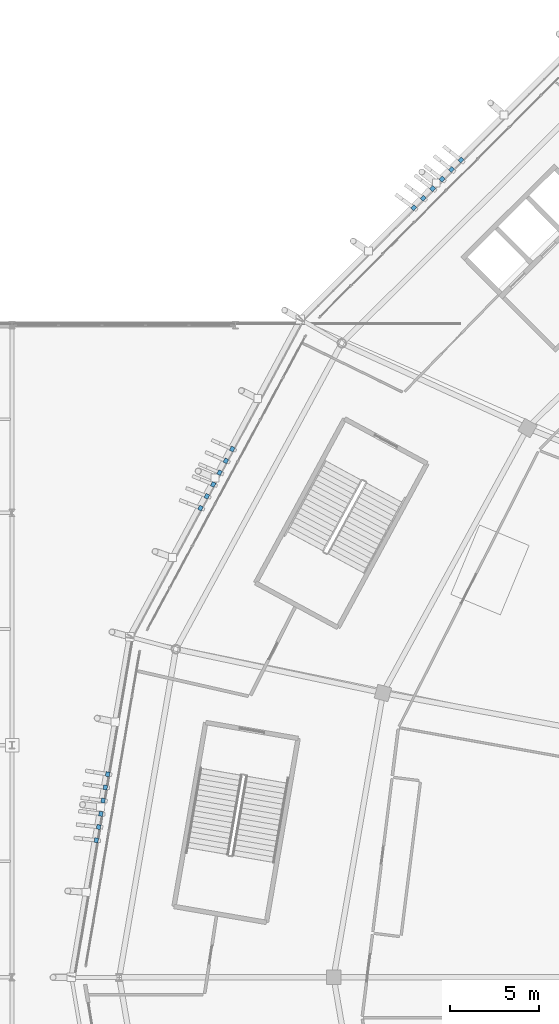
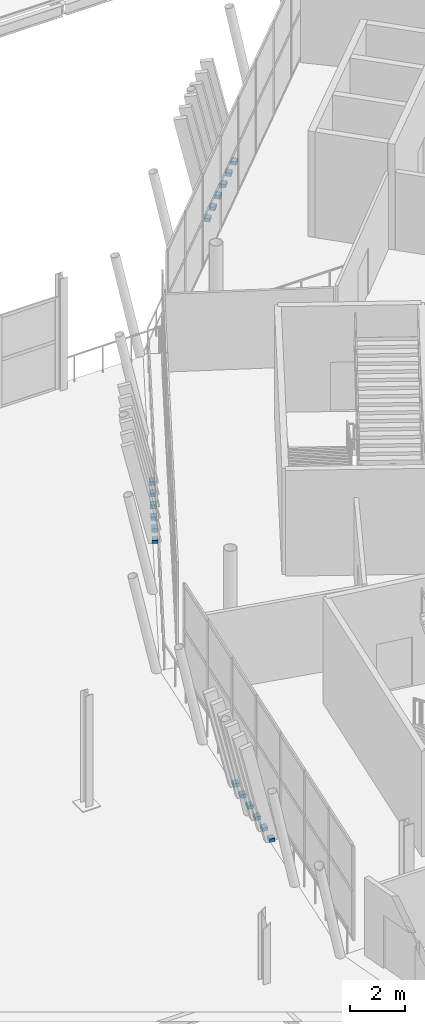
# One storey, part 141 of 179: 18 discrete accessories.
"""IFC4 building model written with IfcOpenShell, lengths in metres."""

from ifc_helpers import new_model, si_unit, direction, frame, origin, origin_2d, place, context, subcontext, project, spatial, rectangle, extrude, material, type_object, element, save


model = new_model("IFC4")

# Units and contexts
model_context = context("Model", 3, precision=1e-05, world=origin(), true_north=direction((0.0, 1.0)))
body_context = subcontext(model_context, "Body", "Model", "MODEL_VIEW")
ifc_project = project(units=[si_unit("LENGTHUNIT", "METRE"), si_unit("AREAUNIT", "SQUARE_METRE"), si_unit("VOLUMEUNIT", "CUBIC_METRE"), si_unit("PLANEANGLEUNIT", "RADIAN"), si_unit("MASSUNIT", "GRAM", prefix="KILO")], contexts=[model_context])

# Site, building, storey
site_placement = place(None, origin())
site = spatial("IfcSite", under=ifc_project, at=site_placement, CompositionType="ELEMENT")
building_placement = place(site_placement, origin())
building = spatial("IfcBuilding", under=site, at=building_placement, Name="Zlatoyarsky Gate Stadium", CompositionType="ELEMENT")
storey_placement = place(building_placement, frame((0.0, 0.0, 10.60009765625)))
storey = spatial("IfcBuildingStorey", under=building, at=storey_placement, Name="L02", CompositionType="ELEMENT", Elevation=10.60009765625)

# Discrete accessories
ifc_material = material(Name="Steel S355", Category="steel")
discrete_accessory_type = type_object("IfcDiscreteAccessoryType", Name="STEEL LOUVRE ANCHOR BRACKET 260X220X160", PredefinedType="BRACKET", material=ifc_material)
for number, where, z_axis, x_axis, name in (
    (1, (37.131103515625, 125.7470703125, -0.02001953125), (0.0, 0.0, 1.0), (-0.705937153021, -0.708274477858, 0.0), "Louvre anchor bracket L02-09-1"),
    (2, (36.601806640625, 125.2158203125, -0.02001953125), (0.0, 0.0, 1.0), (-0.705937153021, -0.708274477858, 0.0), "Louvre anchor bracket L02-09-2"),
    (3, (36.072265625, 124.684814453125, -0.02001953125), (0.0, 0.0, 1.0), (-0.705937153021, -0.708274477858, 0.0), "Louvre anchor bracket L02-09-3"),
    (4, (35.542724609375, 124.1533203125, -0.02001953125), (0.0, 0.0, 1.0), (-0.705937153021, -0.708274477858, 0.0), "Louvre anchor bracket L02-09-4"),
    (5, (35.01318359375, 123.622314453125, -0.02001953125), (0.0, 0.0, 1.0), (-0.705937153021, -0.708274477858, 0.0), "Louvre anchor bracket L02-09-5"),
    (6, (34.48388671875, 123.091064453125, -0.02001953125), (0.0, 0.0, 1.0), (-0.705937153021, -0.708274477858, 0.0), "Louvre anchor bracket L02-09-6"),
    (7, (24.324951171875, 109.57421875, -0.02001953125), (0.0, 0.0, 1.0), (-0.473806009145, -0.880629244176, 0.0), "Louvre anchor bracket L02-10-1"),
    (8, (23.969482421875, 108.913818359375, -0.02001953125), (0.0, 0.0, 1.0), (-0.473806009145, -0.880629244176, 0.0), "Louvre anchor bracket L02-10-2"),
    (9, (23.6142578125, 108.253173828125, -0.02001953125), (0.0, 0.0, 1.0), (-0.473806009145, -0.880629244176, 0.0), "Louvre anchor bracket L02-10-3"),
    (10, (23.2587890625, 107.5927734375, -0.02001953125), (0.0, 0.0, 1.0), (-0.473806009145, -0.880629244176, 0.0), "Louvre anchor bracket L02-10-4"),
    (11, (22.903564453125, 106.93212890625, -0.02001953125), (0.0, 0.0, 1.0), (-0.473806009145, -0.880629244176, 0.0), "Louvre anchor bracket L02-10-5"),
    (12, (22.548095703125, 106.271728515625, -0.02001953125), (0.0, 0.0, 1.0), (-0.473806009145, -0.880629244176, 0.0), "Louvre anchor bracket L02-10-6"),
    (13, (17.348876953125, 91.372314453125, -0.02001953125), (0.0, 0.0, 1.0), (-0.168563074234, -0.985690869393, 0.0), "Louvre anchor bracket L02-11-1"),
    (14, (17.222412109375, 90.6328125, -0.02001953125), (0.0, 0.0, 1.0), (-0.168563074234, -0.985690869393, 0.0), "Louvre anchor bracket L02-11-2"),
    (15, (17.095947265625, 89.8935546875, -0.02001953125), (0.0, 0.0, 1.0), (-0.168563074234, -0.985690869393, 0.0), "Louvre anchor bracket L02-11-3"),
    (16, (16.969482421875, 89.154296875, -0.02001953125), (0.0, 0.0, 1.0), (-0.168563074234, -0.985690869393, 0.0), "Louvre anchor bracket L02-11-4"),
    (17, (16.84326171875, 88.4150390625, -0.02001953125), (0.0, 0.0, 1.0), (-0.168563074234, -0.985690869393, 0.0), "Louvre anchor bracket L02-11-5"),
    (18, (16.716796875, 87.67578125, -0.02001953125), (0.0, 0.0, 1.0), (-0.168563074234, -0.985690869393, 0.0), "Louvre anchor bracket L02-11-6"),
):
    element("IfcDiscreteAccessory", number, at=place(storey_placement, frame(where, z_axis=z_axis, x_axis=x_axis)), inside=storey, type_object=discrete_accessory_type, Name=name, PredefinedType="BRACKET", context=body_context, shape_type="SweptSolid", body=[
        extrude(rectangle(XDim=0.260009765625, YDim=0.219970703125, at=origin_2d()), origin(), (0.0, 0.0, 1.0), 0.159912109375),
    ])

save(model, "model.ifc")
